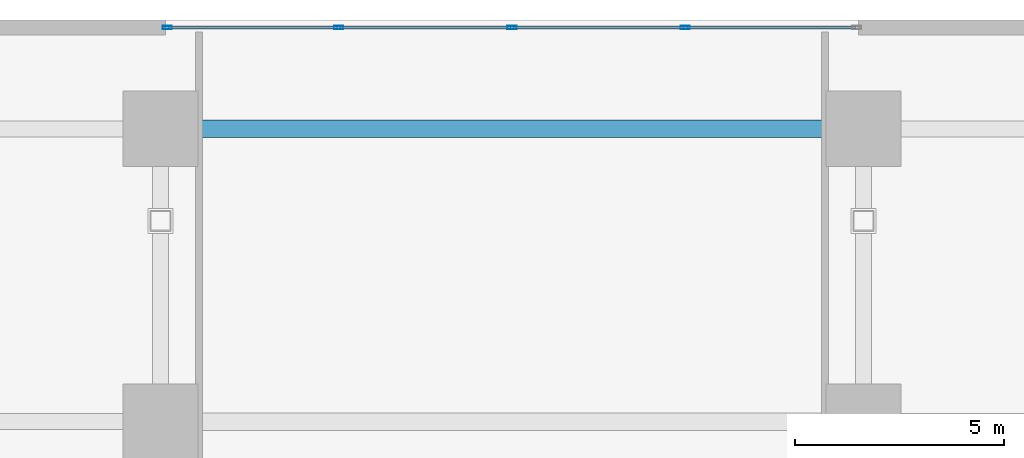
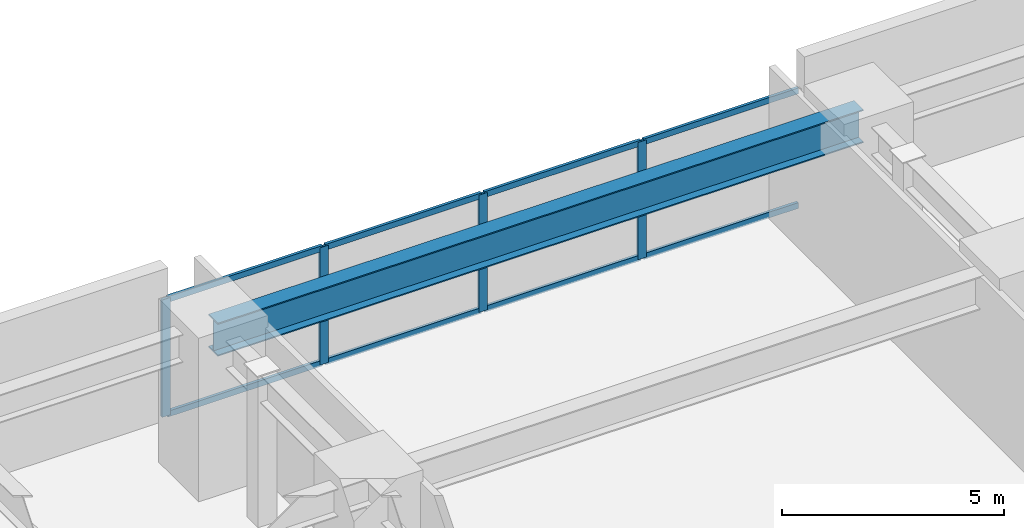
# One storey, part 10 of 26: 12 members, 1 beam, 1 element without a shape of its own.
"""IFC4 building model written with IfcOpenShell, lengths in metres."""

from ifc_helpers import new_model, si_unit, direction, frame, origin, origin_2d, place, context, subcontext, project, spatial, hollow_rectangle, i_section, extrude, material, layer, layer_set, material_profile, profile_set, type_object, element, aggregate, save


model = new_model("IFC4")

# Units and contexts
model_context = context("Model", 3, precision=1e-05, world=origin(), true_north=direction((0.0, 1.0)))
body_context = subcontext(model_context, "Body", "Model", "MODEL_VIEW")
ifc_project = project(units=[si_unit("LENGTHUNIT", "METRE"), si_unit("AREAUNIT", "SQUARE_METRE"), si_unit("VOLUMEUNIT", "CUBIC_METRE"), si_unit("PLANEANGLEUNIT", "RADIAN"), si_unit("MASSUNIT", "GRAM", prefix="KILO")], contexts=[model_context])

# Site, building, storey
site_placement = place(None, origin())
site = spatial("IfcSite", under=ifc_project, at=site_placement, CompositionType="ELEMENT")
building_placement = place(site_placement, origin())
building = spatial("IfcBuilding", under=site, at=building_placement, Name="Kiyonajd Concourse Tower", CompositionType="ELEMENT")
storey_placement = place(building_placement, origin())
storey = spatial("IfcBuildingStorey", under=building, at=storey_placement, Name="L01", CompositionType="ELEMENT", Elevation=0.0)

# Beam
ifc_material_1 = material(Name="Steel ASTM A992 Grade 50", Category="steel")
ifc_material_profile_1 = material_profile(ifc_material_1, i_section(OverallWidth=0.41796875, OverallDepth=0.912109375, WebThickness=0.019287109375, FlangeThickness=0.031982421875, at=origin_2d()), Name="W920X342")
ifc_profile_set_1 = profile_set([ifc_material_profile_1], Name="Steel ASTM A992 Grade 50")
beam_type = type_object("IfcBeamType", Name="BM-CON-920B", PredefinedType="BEAM", material=ifc_profile_set_1)
beam_placement = place(storey_placement, frame((39.60009765625, 69.39990234375, 3.72412109375), z_axis=(1.0, 0.0, 0.0), x_axis=(0.0, 1.0, 0.0)))
element("IfcBeam", 1, at=beam_placement, inside=storey, type_object=beam_type, Name="L01 Concourse Clear Span Girder", PredefinedType="BEAM", context=body_context, shape_type="SweptSolid", body=[
    extrude(i_section(OverallWidth=0.41796875, OverallDepth=0.912109375, WebThickness=0.019287109375, FlangeThickness=0.031982421875, at=origin_2d()), origin(), (0.0, 0.0, 1.0), 16.7998046875),
])

# Curtain wall, members
ifc_material_2 = material(Name="Thermally Broken Anodised Aluminium", Category="aluminium")
ifc_layer = layer(ifc_material_2, 0.179931640625)
ifc_layer_set = layer_set([ifc_layer], Name="Thermally Broken Anodised Aluminium")
curtain_wall_type = type_object("IfcCurtainWallType", Name="CW-SYS-01", PredefinedType="NOTDEFINED", material=ifc_layer_set)
curtain_wall_placement = place(storey_placement, origin())
curtain_wall = element("IfcCurtainWall", 2, at=curtain_wall_placement, inside=storey, type_object=curtain_wall_type, Name="L01 Unitised Curtain Wall CW1", PredefinedType="NOTDEFINED")
ifc_material_profile_2 = material_profile(ifc_material_2, hollow_rectangle(XDim=0.074951171875, YDim=0.219970703125, WallThickness=0.0048828125, at=origin_2d()), Name="MULL-75x220")
ifc_profile_set_2 = profile_set([ifc_material_profile_2], Name="Thermally Broken Anodised Aluminium")
member_type_1 = type_object("IfcMemberType", Name="MB-CW-MULL2", PredefinedType="MULLION", material=ifc_profile_set_2)
member_1_placement = place(storey_placement, frame((39.757568359375, 71.820068359375, 0.0), z_axis=(0.0, 0.0, 1.0), x_axis=(0.0, 1.0, 0.0)))
member_1 = element("IfcMember", 3, at=member_1_placement, type_object=member_type_1, Name="CW1 mullion 1", PredefinedType="MULLION", context=body_context, shape_type="SweptSolid", body=[
    extrude(hollow_rectangle(XDim=0.074951171875, YDim=0.219970703125, WallThickness=0.0048828125, at=origin_2d()), origin(), (0.0, 0.0, 1.0), 3.22998046875),
])
member_2_placement = place(storey_placement, frame((43.860107421875, 71.820068359375, 0.0), z_axis=(0.0, 0.0, 1.0), x_axis=(0.0, 1.0, 0.0)))
member_2 = element("IfcMember", 4, at=member_2_placement, type_object=member_type_1, Name="CW1 mullion 2", PredefinedType="MULLION", context=body_context, shape_type="SweptSolid", body=[
    extrude(hollow_rectangle(XDim=0.074951171875, YDim=0.219970703125, WallThickness=0.0048828125, at=origin_2d()), origin(), (0.0, 0.0, 1.0), 3.22998046875),
])
member_3_placement = place(storey_placement, frame((48.0, 71.820068359375, 0.0), z_axis=(0.0, 0.0, 1.0), x_axis=(0.0, 1.0, 0.0)))
member_3 = element("IfcMember", 5, at=member_3_placement, type_object=member_type_1, Name="CW1 mullion 3", PredefinedType="MULLION", context=body_context, shape_type="SweptSolid", body=[
    extrude(hollow_rectangle(XDim=0.074951171875, YDim=0.219970703125, WallThickness=0.0048828125, at=origin_2d()), origin(), (0.0, 0.0, 1.0), 3.22998046875),
])
member_4_placement = place(storey_placement, frame((52.139892578125, 71.820068359375, 0.0), z_axis=(0.0, 0.0, 1.0), x_axis=(0.0, 1.0, 0.0)))
member_4 = element("IfcMember", 6, at=member_4_placement, type_object=member_type_1, Name="CW1 mullion 4", PredefinedType="MULLION", context=body_context, shape_type="SweptSolid", body=[
    extrude(hollow_rectangle(XDim=0.074951171875, YDim=0.219970703125, WallThickness=0.0048828125, at=origin_2d()), origin(), (0.0, 0.0, 1.0), 3.22998046875),
])
ifc_material_profile_3 = material_profile(ifc_material_2, hollow_rectangle(XDim=0.074951171875, YDim=0.159912109375, WallThickness=0.0048828125, at=origin_2d()), Name="TRAN-75x160")
ifc_profile_set_3 = profile_set([ifc_material_profile_3], Name="Thermally Broken Anodised Aluminium")
member_type_2 = type_object("IfcMemberType", Name="MB-CW-TRAN2", PredefinedType="USERDEFINED", material=ifc_profile_set_3)
member_5_placement = place(storey_placement, frame((39.794921875, 71.820068359375, 0.03759765625), z_axis=(1.0, 0.0, 0.0), x_axis=(0.0, 1.0, 0.0)))
member_5 = element("IfcMember", 7, at=member_5_placement, type_object=member_type_2, Name="CW1 transom 1.1", ObjectType="TRANSOM", PredefinedType="USERDEFINED", context=body_context, shape_type="SweptSolid", body=[
    extrude(hollow_rectangle(XDim=0.074951171875, YDim=0.159912109375, WallThickness=0.0048828125, at=origin_2d()), origin(), (0.0, 0.0, 1.0), 4.027587890625),
])
member_6_placement = place(storey_placement, frame((39.794921875, 71.820068359375, 3.1923828125), z_axis=(1.0, 0.0, 0.0), x_axis=(0.0, 1.0, 0.0)))
member_6 = element("IfcMember", 8, at=member_6_placement, type_object=member_type_2, Name="CW1 transom 1.2", ObjectType="TRANSOM", PredefinedType="USERDEFINED", context=body_context, shape_type="SweptSolid", body=[
    extrude(hollow_rectangle(XDim=0.074951171875, YDim=0.159912109375, WallThickness=0.0048828125, at=origin_2d()), origin(), (0.0, 0.0, 1.0), 4.027587890625),
])
member_7_placement = place(storey_placement, frame((43.8974609375, 71.820068359375, 0.03759765625), z_axis=(1.0, 0.0, 0.0), x_axis=(0.0, 1.0, 0.0)))
member_7 = element("IfcMember", 9, at=member_7_placement, type_object=member_type_2, Name="CW1 transom 2.1", ObjectType="TRANSOM", PredefinedType="USERDEFINED", context=body_context, shape_type="SweptSolid", body=[
    extrude(hollow_rectangle(XDim=0.074951171875, YDim=0.159912109375, WallThickness=0.0048828125, at=origin_2d()), origin(), (0.0, 0.0, 1.0), 4.06494140625),
])
member_8_placement = place(storey_placement, frame((43.8974609375, 71.820068359375, 3.1923828125), z_axis=(1.0, 0.0, 0.0), x_axis=(0.0, 1.0, 0.0)))
member_8 = element("IfcMember", 10, at=member_8_placement, type_object=member_type_2, Name="CW1 transom 2.2", ObjectType="TRANSOM", PredefinedType="USERDEFINED", context=body_context, shape_type="SweptSolid", body=[
    extrude(hollow_rectangle(XDim=0.074951171875, YDim=0.159912109375, WallThickness=0.0048828125, at=origin_2d()), origin(), (0.0, 0.0, 1.0), 4.06494140625),
])
member_9_placement = place(storey_placement, frame((48.03759765625, 71.820068359375, 0.03759765625), z_axis=(1.0, 0.0, 0.0), x_axis=(0.0, 1.0, 0.0)))
member_9 = element("IfcMember", 11, at=member_9_placement, type_object=member_type_2, Name="CW1 transom 3.1", ObjectType="TRANSOM", PredefinedType="USERDEFINED", context=body_context, shape_type="SweptSolid", body=[
    extrude(hollow_rectangle(XDim=0.074951171875, YDim=0.159912109375, WallThickness=0.0048828125, at=origin_2d()), origin(), (0.0, 0.0, 1.0), 4.06494140625),
])
member_10_placement = place(storey_placement, frame((48.03759765625, 71.820068359375, 3.1923828125), z_axis=(1.0, 0.0, 0.0), x_axis=(0.0, 1.0, 0.0)))
member_10 = element("IfcMember", 12, at=member_10_placement, type_object=member_type_2, Name="CW1 transom 3.2", ObjectType="TRANSOM", PredefinedType="USERDEFINED", context=body_context, shape_type="SweptSolid", body=[
    extrude(hollow_rectangle(XDim=0.074951171875, YDim=0.159912109375, WallThickness=0.0048828125, at=origin_2d()), origin(), (0.0, 0.0, 1.0), 4.06494140625),
])
member_11_placement = place(storey_placement, frame((52.177490234375, 71.820068359375, 0.03759765625), z_axis=(1.0, 0.0, 0.0), x_axis=(0.0, 1.0, 0.0)))
member_11 = element("IfcMember", 13, at=member_11_placement, type_object=member_type_2, Name="CW1 transom 4.1", ObjectType="TRANSOM", PredefinedType="USERDEFINED", context=body_context, shape_type="SweptSolid", body=[
    extrude(hollow_rectangle(XDim=0.074951171875, YDim=0.159912109375, WallThickness=0.0048828125, at=origin_2d()), origin(), (0.0, 0.0, 1.0), 4.027587890625),
])
member_12_placement = place(storey_placement, frame((52.177490234375, 71.820068359375, 3.1923828125), z_axis=(1.0, 0.0, 0.0), x_axis=(0.0, 1.0, 0.0)))
member_12 = element("IfcMember", 14, at=member_12_placement, type_object=member_type_2, Name="CW1 transom 4.2", ObjectType="TRANSOM", PredefinedType="USERDEFINED", context=body_context, shape_type="SweptSolid", body=[
    extrude(hollow_rectangle(XDim=0.074951171875, YDim=0.159912109375, WallThickness=0.0048828125, at=origin_2d()), origin(), (0.0, 0.0, 1.0), 4.027587890625),
])
aggregate(curtain_wall, [member_1, member_2, member_3, member_4, member_5, member_6, member_7, member_8, member_9, member_10, member_11, member_12])

save(model, "model.ifc")
